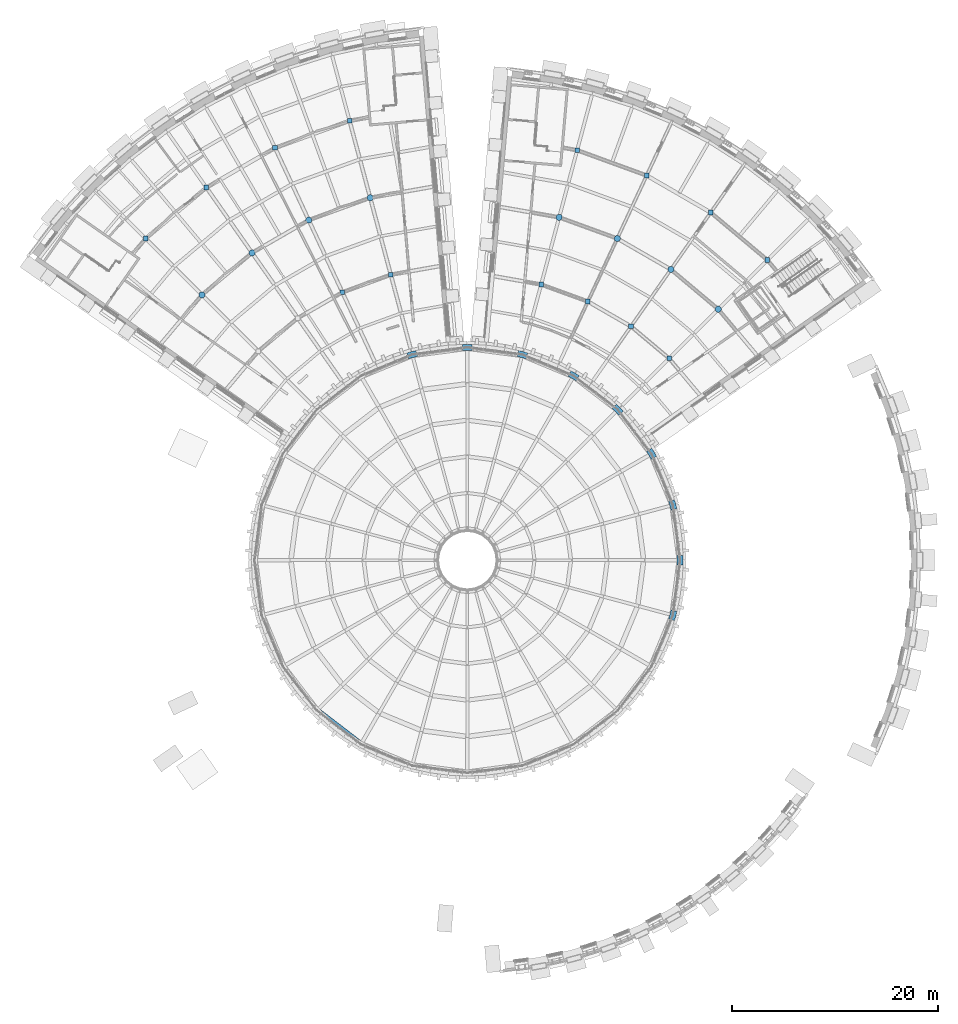
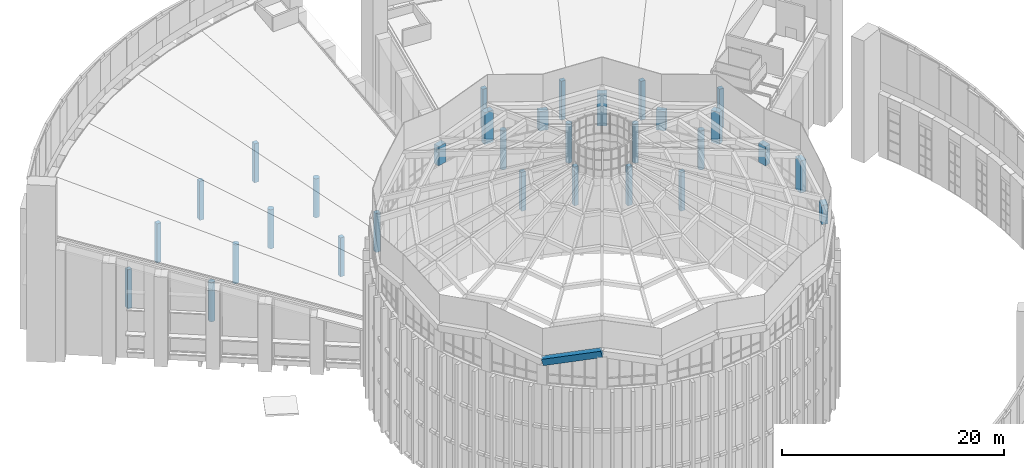
# One storey, part 3 of 82: 31 columns, 1 beam.
"""IFC4 building model written with IfcOpenShell, lengths in metres."""

from ifc_helpers import new_model, si_unit, direction, frame, origin, origin_2d, place, context, subcontext, project, spatial, rectangle, circle, extrude, material, material_profile, profile_set, type_object, element, save


model = new_model("IFC4")

# Units and contexts
model_context = context("Model", 3, precision=1e-05, world=origin(), true_north=direction((0.0, 1.0)))
body_context = subcontext(model_context, "Body", "Model", "MODEL_VIEW")
ifc_project = project(units=[si_unit("LENGTHUNIT", "METRE"), si_unit("AREAUNIT", "SQUARE_METRE"), si_unit("VOLUMEUNIT", "CUBIC_METRE"), si_unit("PLANEANGLEUNIT", "RADIAN"), si_unit("MASSUNIT", "GRAM", prefix="KILO")], contexts=[model_context])

# Site, building, storey
site_placement = place(None, origin())
site = spatial("IfcSite", under=ifc_project, at=site_placement, CompositionType="ELEMENT")
building_placement = place(site_placement, origin())
building = spatial("IfcBuilding", under=site, at=building_placement, Name="Volute Hill Aquarium", CompositionType="ELEMENT")
storey_placement = place(building_placement, frame((0.0, 0.0, 13.800048828125)))
storey = spatial("IfcBuildingStorey", under=building, at=storey_placement, Name="L04", CompositionType="ELEMENT", Elevation=13.800048828125)

# Columns
ifc_material_1 = material(Name="Precast concrete C40/50", Category="concrete")
ifc_material_profile_1 = material_profile(ifc_material_1, rectangle(XDim=0.60009765625, YDim=0.89990234375, at=origin_2d()), Name="RC pier 600x900")
ifc_profile_set_1 = profile_set([ifc_material_profile_1], Name="Precast concrete C40/50")
column_type_1 = type_object("IfcColumnType", Name="Clerestory pier RC 600x900", PredefinedType="COLUMN", material=ifc_profile_set_1)
column_1_placement = place(storey_placement, frame((20.699951171875, 0.0, 13.699951171875), z_axis=(0.0, 0.0, 1.0), x_axis=(1.0, 0.0, 0.0)))
element("IfcColumn", 1, at=column_1_placement, inside=storey, type_object=column_type_1, Name="col/DR/L04/0", PredefinedType="COLUMN", context=body_context, shape_type="SweptSolid", body=[
    extrude(rectangle(XDim=0.60009765625, YDim=0.89990234375, at=origin_2d()), origin(), (0.0, 0.0, 1.0), 3.52734375),
])
column_2_placement = place(storey_placement, frame((19.99462890625, 5.357666015625, 13.699951171875), z_axis=(0.0, 0.0, 1.0), x_axis=(0.965925826289, 0.258819045103, 0.0)))
element("IfcColumn", 2, at=column_2_placement, inside=storey, type_object=column_type_1, Name="col/DR/L04/1", PredefinedType="COLUMN", context=body_context, shape_type="SweptSolid", body=[
    extrude(rectangle(XDim=0.60009765625, YDim=0.89990234375, at=origin_2d()), origin(), (0.0, 0.0, 1.0), 2.127197265625),
])
column_3_placement = place(storey_placement, frame((17.9267578125, 10.35009765625, 13.699951171875), z_axis=(0.0, 0.0, 1.0), x_axis=(0.866025403784, 0.5, 0.0)))
element("IfcColumn", 3, at=column_3_placement, inside=storey, type_object=column_type_1, Name="col/DR/L04/2", PredefinedType="COLUMN", context=body_context, shape_type="SweptSolid", body=[
    extrude(rectangle(XDim=0.60009765625, YDim=0.89990234375, at=origin_2d()), origin(), (0.0, 0.0, 1.0), 3.52734375),
])
column_4_placement = place(storey_placement, frame((14.63720703125, 14.63720703125, 13.699951171875), z_axis=(0.0, 0.0, 1.0), x_axis=(0.707106781187, 0.707106781187, 0.0)))
element("IfcColumn", 4, at=column_4_placement, inside=storey, type_object=column_type_1, Name="col/DR/L04/3", PredefinedType="COLUMN", context=body_context, shape_type="SweptSolid", body=[
    extrude(rectangle(XDim=0.60009765625, YDim=0.89990234375, at=origin_2d()), origin(), (0.0, 0.0, 1.0), 2.127197265625),
])
column_5_placement = place(storey_placement, frame((10.35009765625, 17.9267578125, 13.699951171875), z_axis=(0.0, 0.0, 1.0), x_axis=(0.5, 0.866025403784, 0.0)))
element("IfcColumn", 5, at=column_5_placement, inside=storey, type_object=column_type_1, Name="col/DR/L04/4", PredefinedType="COLUMN", context=body_context, shape_type="SweptSolid", body=[
    extrude(rectangle(XDim=0.60009765625, YDim=0.89990234375, at=origin_2d()), origin(), (0.0, 0.0, 1.0), 3.52734375),
])
column_6_placement = place(storey_placement, frame((5.357666015625, 19.99462890625, 13.699951171875), z_axis=(0.0, 0.0, 1.0), x_axis=(0.258819045103, 0.965925826289, 0.0)))
element("IfcColumn", 6, at=column_6_placement, inside=storey, type_object=column_type_1, Name="col/DR/L04/5", PredefinedType="COLUMN", context=body_context, shape_type="SweptSolid", body=[
    extrude(rectangle(XDim=0.60009765625, YDim=0.89990234375, at=origin_2d()), origin(), (0.0, 0.0, 1.0), 2.127197265625),
])
column_7_placement = place(storey_placement, frame((0.0, 20.699951171875, 13.699951171875), z_axis=(0.0, 0.0, 1.0), x_axis=(0.0, 1.0, 0.0)))
element("IfcColumn", 7, at=column_7_placement, inside=storey, type_object=column_type_1, Name="col/DR/L04/6", PredefinedType="COLUMN", context=body_context, shape_type="SweptSolid", body=[
    extrude(rectangle(XDim=0.60009765625, YDim=0.89990234375, at=origin_2d()), origin(), (0.0, 0.0, 1.0), 3.52734375),
])
for number, where, z_axis, x_axis, name in (
    (8, (-5.357666015625, 19.99462890625, 13.699951171875), (0.0, 0.0, 1.0), (-0.258819045103, 0.965925826289, 0.0), "col/DR/L04/7"),
    (9, (19.99462890625, -5.357666015625, 13.699951171875), (0.0, 0.0, 1.0), (0.965925826289, -0.258819045103, 0.0), "col/DR/L04/23"),
):
    element("IfcColumn", number, at=place(storey_placement, frame(where, z_axis=z_axis, x_axis=x_axis)), inside=storey, type_object=column_type_1, Name=name, PredefinedType="COLUMN", context=body_context, shape_type="SweptSolid", body=[
        extrude(rectangle(XDim=0.60009765625, YDim=0.89990234375, at=origin_2d()), origin(), (0.0, 0.0, 1.0), 2.127197265625),
    ])
ifc_material_2 = material(Name="Concrete C35/45", Category="concrete")
ifc_material_profile_2 = material_profile(ifc_material_2, rectangle(XDim=0.449951171875, YDim=0.449951171875, at=origin_2d()), Name="RC column 450x450")
ifc_profile_set_2 = profile_set([ifc_material_profile_2], Name="Concrete C35/45")
column_type_2 = type_object("IfcColumnType", Name="Column column 450x450 C35/45", PredefinedType="COLUMN", material=ifc_profile_set_2)
for number, where, z_axis, x_axis, name in (
    (10, (19.631103515625, 19.631103515625, 0.0), (0.0, 0.0, 1.0), (1.0, 0.0, 0.0), "col/S5/L04/1.1"),
    (11, (15.923828125, 22.74169921875, 0.0), (0.0, 0.0, 1.0), (1.0, 0.0, 0.0), "col/S5/L04/1.2"),
    (12, (11.73291015625, 25.161376953125, 0.0), (0.0, 0.0, 1.0), (1.0, 0.0, 0.0), "col/S5/L04/1.3"),
    (13, (7.185546875, 26.81640625, 0.0), (0.0, 0.0, 1.0), (1.0, 0.0, 0.0), "col/S5/L04/1.4"),
    (14, (29.194580078125, 29.194580078125, 0.0), (0.0, 0.0, 1.0), (1.0, 0.0, 0.0), "col/S5/L04/3.1"),
    (15, (23.681396484375, 33.82080078125, 0.0), (0.0, 0.0, 1.0), (1.0, 0.0, 0.0), "col/S5/L04/3.2"),
    (16, (17.448974609375, 37.419189453125, 0.0), (0.0, 0.0, 1.0), (1.0, 0.0, 0.0), "col/S5/L04/3.3"),
    (17, (10.68603515625, 39.880615234375, 0.0), (0.0, 0.0, 1.0), (1.0, 0.0, 0.0), "col/S5/L04/3.4"),
    (18, (-7.44091796875, 27.7705078125, 0.0), (0.0, 0.0, 1.0), (1.0, 0.0, 0.0), "col/S6/L04/1.1"),
    (19, (-12.150390625, 26.056396484375, 0.0), (0.0, 0.0, 1.0), (1.0, 0.0, 0.0), "col/S6/L04/1.2"),
    (20, (-11.45263671875, 42.7421875, 0.0), (0.0, 0.0, 1.0), (1.0, 0.0, 0.0), "col/S6/L04/3.1"),
    (21, (-18.700927734375, 40.10400390625, 0.0), (0.0, 0.0, 1.0), (1.0, 0.0, 0.0), "col/S6/L04/3.2"),
    (22, (-25.380859375, 36.24755859375, 0.0), (0.0, 0.0, 1.0), (1.0, 0.0, 0.0), "col/S6/L04/3.3"),
    (23, (-31.28955078125, 31.28955078125, 0.0), (0.0, 0.0, 1.0), (1.0, 0.0, 0.0), "col/S6/L04/3.4"),
):
    element("IfcColumn", number, at=place(storey_placement, frame(where, z_axis=z_axis, x_axis=x_axis)), inside=storey, type_object=column_type_2, Name=name, PredefinedType="COLUMN", context=body_context, shape_type="SweptSolid", body=[
        extrude(rectangle(XDim=0.449951171875, YDim=0.449951171875, at=origin_2d()), origin(), (0.0, 0.0, 1.0), 4.300048828125),
    ])
ifc_material_3 = material(Name="Concrete C35/45", Category="concrete")
ifc_material_profile_3 = material_profile(ifc_material_3, circle(Radius=0.300048828125, at=origin_2d()), Name="RC round column D600")
ifc_profile_set_3 = profile_set([ifc_material_profile_3], Name="Concrete C35/45")
column_type_3 = type_object("IfcColumnType", Name="Column round column D600 C35/45", PredefinedType="COLUMN", material=ifc_profile_set_3)
for number, where, z_axis, x_axis, name in (
    (24, (24.412841796875, 24.412841796875, 0.0), (0.0, 0.0, 1.0), (1.0, 0.0, 0.0), "col/S5/L04/2.1"),
    (25, (19.802734375, 28.28125, 0.0), (0.0, 0.0, 1.0), (1.0, 0.0, 0.0), "col/S5/L04/2.2"),
    (26, (14.5908203125, 31.290283203125, 0.0), (0.0, 0.0, 1.0), (1.0, 0.0, 0.0), "col/S5/L04/2.3"),
    (27, (8.935791015625, 33.3486328125, 0.0), (0.0, 0.0, 1.0), (1.0, 0.0, 0.0), "col/S5/L04/2.4"),
    (28, (-9.447021484375, 35.25634765625, 0.0), (0.0, 0.0, 1.0), (1.0, 0.0, 0.0), "col/S6/L04/2.1"),
    (29, (-15.425537109375, 33.080078125, 0.0), (0.0, 0.0, 1.0), (1.0, 0.0, 0.0), "col/S6/L04/2.2"),
    (30, (-20.935546875, 29.89892578125, 0.0), (0.0, 0.0, 1.0), (1.0, 0.0, 0.0), "col/S6/L04/2.3"),
    (31, (-25.809326171875, 25.809326171875, 0.0), (0.0, 0.0, 1.0), (1.0, 0.0, 0.0), "col/S6/L04/2.4"),
):
    element("IfcColumn", number, at=place(storey_placement, frame(where, z_axis=z_axis, x_axis=x_axis)), inside=storey, type_object=column_type_3, Name=name, PredefinedType="COLUMN", context=body_context, shape_type="SweptSolid", body=[
        extrude(circle(Radius=0.300048828125, at=origin_2d()), origin(), (0.0, 0.0, 1.0), 4.300048828125),
    ])

# Beam
ifc_material_4 = material(Name="Concrete C40/50", Category="concrete")
ifc_material_profile_4 = material_profile(ifc_material_4, rectangle(XDim=0.60009765625, YDim=0.699951171875, at=origin_2d()), Name="RC beam 600x700")
ifc_profile_set_4 = profile_set([ifc_material_profile_4], Name="Concrete C40/50")
beam_type = type_object("IfcBeamType", Name="Dome shell eave ring beam 600x700", PredefinedType="BEAM", material=ifc_profile_set_4)
beam_placement = place(storey_placement, frame((-14.63720703125, -14.63720703125, 16.1162109375), z_axis=(0.768005978347, -0.58930025924, 0.250782817759), x_axis=(0.608753981167, 0.793359055165, 0.0)))
element("IfcBeam", 32, at=beam_placement, inside=storey, type_object=beam_type, Name="rb/DR/L04/eave.15", PredefinedType="BEAM", context=body_context, shape_type="SweptSolid", body=[
    extrude(rectangle(XDim=0.60009765625, YDim=0.699951171875, at=origin_2d()), origin(), (0.0, 0.0, 1.0), 5.58203125),
])

save(model, "model.ifc")
